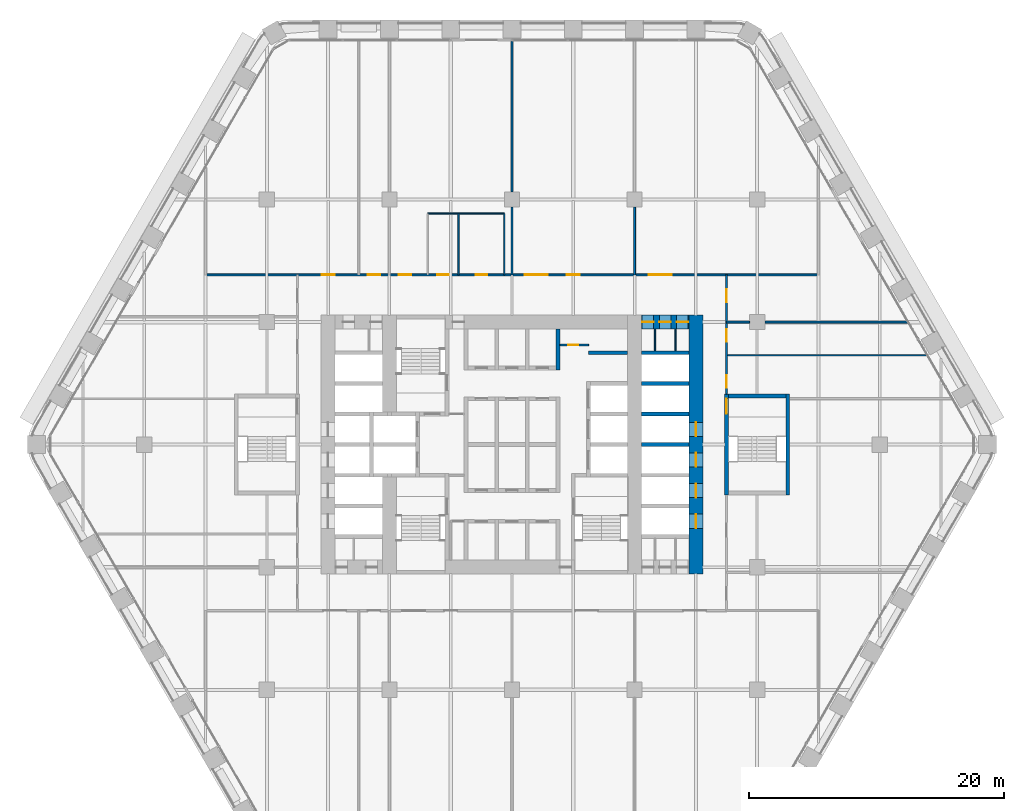
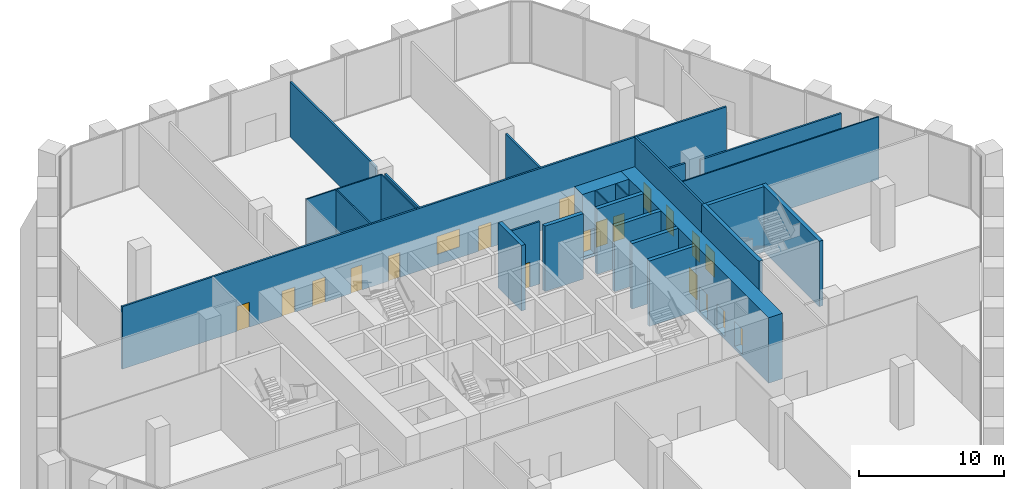
# One storey, part 21 of 27: 25 walls, 19 doors, 1 window, 20 openings.
"""IFC4 building model written with IfcOpenShell, lengths in metres."""

from ifc_helpers import new_model, si_unit, direction, frame, frame_2d, origin, place, context, subcontext, project, spatial, rectangle, extrude, material, layer, layer_set, type_object, element, fill, save


model = new_model("IFC4")

# Units and contexts
model_context = context("Model", 3, precision=1e-05, world=origin(), true_north=direction((0.0, 1.0)))
body_context = subcontext(model_context, "Body", "Model", "MODEL_VIEW")
ifc_project = project(units=[si_unit("LENGTHUNIT", "METRE"), si_unit("AREAUNIT", "SQUARE_METRE"), si_unit("VOLUMEUNIT", "CUBIC_METRE"), si_unit("PLANEANGLEUNIT", "RADIAN"), si_unit("MASSUNIT", "GRAM", prefix="KILO")], contexts=[model_context])

# Site, building, storey
site_placement = place(None, origin())
site = spatial("IfcSite", under=ifc_project, at=site_placement, CompositionType="ELEMENT")
building_placement = place(site_placement, origin())
building = spatial("IfcBuilding", under=site, at=building_placement, Name="Kolab Exchange Tower", CompositionType="ELEMENT")
storey_placement = place(building_placement, frame((0.0, 0.0, 49.89990234375)))
storey = spatial("IfcBuildingStorey", under=building, at=storey_placement, Name="L09", CompositionType="ELEMENT", Elevation=49.89990234375)

# Wall, openings, doors
ifc_material_1 = material(Name="Concrete C80/95", Category="concrete")
ifc_layer_1 = layer(ifc_material_1, 1.10009765625)
ifc_layer_set_1 = layer_set([ifc_layer_1], Name="Concrete C80/95")
wall_type_1 = type_object("IfcWallType", Name="CORE WALL 1100 C80/95", PredefinedType="SHEAR", material=ifc_layer_set_1)
wall_1_placement = place(storey_placement, frame((10.14990234375, 9.60009765625, -0.25), z_axis=(0.0, 0.0, 1.0), x_axis=(1.0, 0.0, 0.0)))
wall_1 = element("IfcWall", 1, at=wall_1_placement, inside=storey, type_object=wall_type_1, Name="wall/L09/core/053", PredefinedType="SHEAR", context=body_context, shape_type="SweptSolid", body=[
    extrude(rectangle(XDim=3.7001953125, YDim=1.10009765625, at=frame_2d((1.85009765625, 0.0))), origin(), (0.0, 0.0, 1.0), 5.5),
])
opening_1_placement = place(wall_1_placement, frame((0.050048828125, 0.0, 0.25)))
opening_1 = element("IfcOpeningElement", 2, at=opening_1_placement, cuts=wall_1, Name="Opening D6-119", PredefinedType="OPENING", context=body_context, shape_type="SweptSolid", body=[
    extrude(rectangle(XDim=0.89990234375, YDim=2.10009765625, at=frame_2d((0.449951171875, 1.050048828125))), frame((0.0, 0.56005859375, 0.0), z_axis=(0.0, -1.0, 0.0), x_axis=(1.0, 0.0, 0.0)), (0.0, 0.0, 1.0), 1.1201171875),
])
opening_2_placement = place(wall_1_placement, frame((1.39990234375, 0.0, 0.25)))
opening_2 = element("IfcOpeningElement", 3, at=opening_2_placement, cuts=wall_1, Name="Opening D6-114", PredefinedType="OPENING", context=body_context, shape_type="SweptSolid", body=[
    extrude(rectangle(XDim=0.89990234375, YDim=2.10009765625, at=frame_2d((0.449951171875, 1.050048828125))), frame((0.0, 0.56005859375, 0.0), z_axis=(0.0, -1.0, 0.0), x_axis=(1.0, 0.0, 0.0)), (0.0, 0.0, 1.0), 1.1201171875),
])
opening_3_placement = place(wall_1_placement, frame((2.75, 0.0, 0.25)))
opening_3 = element("IfcOpeningElement", 4, at=opening_3_placement, cuts=wall_1, Name="Opening D6-120", PredefinedType="OPENING", context=body_context, shape_type="SweptSolid", body=[
    extrude(rectangle(XDim=0.89990234375, YDim=2.10009765625, at=frame_2d((0.449951171875, 1.050048828125))), frame((0.0, 0.56005859375, 0.0), z_axis=(0.0, -1.0, 0.0), x_axis=(1.0, 0.0, 0.0)), (0.0, 0.0, 1.0), 1.1201171875),
])
ifc_material_2 = material(Name="Steel S235", Category="steel")
door_type_1 = type_object("IfcDoorType", Name="CORE DOOR 900 EI 120", OperationType="SINGLE_SWING_LEFT", PredefinedType="DOOR", material=ifc_material_2)
door_1_placement = place(opening_1_placement, frame((0.89990234375, 0.0, 0.0), z_axis=(0.0, 0.0, 1.0), x_axis=(-1.0, 0.0, 0.0)))
door_1 = element("IfcDoor", 5, at=door_1_placement, inside=storey, type_object=door_type_1, Name="Service room door", OperationType="SINGLE_SWING_RIGHT", OverallHeight=2.10009765625, OverallWidth=0.89990234375, PredefinedType="DOOR", context=body_context, shape_type="SweptSolid", body=[
    extrude(rectangle(XDim=0.89990234375, YDim=2.10009765625, at=frame_2d((0.449951171875, 1.050048828125))), frame((0.0, 0.02490234375, 0.0), z_axis=(0.0, -1.0, 0.0), x_axis=(1.0, 0.0, 0.0)), (0.0, 0.0, 1.0), 0.050048828125),
])
fill(opening_1, door_1)
door_2_placement = place(opening_2_placement, frame((0.89990234375, 0.0, 0.0), z_axis=(0.0, 0.0, 1.0), x_axis=(-1.0, 0.0, 0.0)))
door_2 = element("IfcDoor", 6, at=door_2_placement, inside=storey, type_object=door_type_1, Name="Service room door", OperationType="SINGLE_SWING_LEFT", OverallHeight=2.10009765625, OverallWidth=0.89990234375, PredefinedType="DOOR", context=body_context, shape_type="SweptSolid", body=[
    extrude(rectangle(XDim=0.89990234375, YDim=2.10009765625, at=frame_2d((0.449951171875, 1.050048828125))), frame((0.0, 0.02490234375, 0.0), z_axis=(0.0, -1.0, 0.0), x_axis=(1.0, 0.0, 0.0)), (0.0, 0.0, 1.0), 0.050048828125),
])
fill(opening_2, door_2)
door_3_placement = place(opening_3_placement, frame((0.89990234375, 0.0, 0.0), z_axis=(0.0, 0.0, 1.0), x_axis=(-1.0, 0.0, 0.0)))
door_3 = element("IfcDoor", 7, at=door_3_placement, inside=storey, type_object=door_type_1, Name="Service room door", OperationType="SINGLE_SWING_LEFT", OverallHeight=2.10009765625, OverallWidth=0.89990234375, PredefinedType="DOOR", context=body_context, shape_type="SweptSolid", body=[
    extrude(rectangle(XDim=0.89990234375, YDim=2.10009765625, at=frame_2d((0.449951171875, 1.050048828125))), frame((0.0, 0.02490234375, 0.0), z_axis=(0.0, -1.0, 0.0), x_axis=(1.0, 0.0, 0.0)), (0.0, 0.0, 1.0), 0.050048828125),
])
fill(opening_3, door_3)

wall_2_placement = place(storey_placement, frame((14.39990234375, -10.14990234375, -0.25), z_axis=(0.0, 0.0, 1.0), x_axis=(0.0, 1.0, 0.0)))
wall_2 = element("IfcWall", 8, at=wall_2_placement, inside=storey, type_object=wall_type_1, Name="wall/L09/core/081", PredefinedType="SHEAR", context=body_context, shape_type="SweptSolid", body=[
    extrude(rectangle(XDim=20.2998046875, YDim=1.10009765625, at=frame_2d((10.14990234375, 0.0))), origin(), (0.0, 0.0, 1.0), 5.5),
])
opening_4_placement = place(wall_2_placement, frame((3.60009765625, 0.0, 0.25)))
opening_4 = element("IfcOpeningElement", 9, at=opening_4_placement, cuts=wall_2, Name="Opening LD1-037", PredefinedType="OPENING", context=body_context, shape_type="SweptSolid", body=[
    extrude(rectangle(XDim=1.10009765625, YDim=2.10009765625, at=frame_2d((0.550048828125, 1.050048828125))), frame((0.0, 0.56005859375, 0.0), z_axis=(0.0, -1.0, 0.0), x_axis=(1.0, 0.0, 0.0)), (0.0, 0.0, 1.0), 1.1201171875),
])
opening_5_placement = place(wall_2_placement, frame((6.0, 0.0, 0.25)))
opening_5 = element("IfcOpeningElement", 10, at=opening_5_placement, cuts=wall_2, Name="Opening LD1-038", PredefinedType="OPENING", context=body_context, shape_type="SweptSolid", body=[
    extrude(rectangle(XDim=1.10009765625, YDim=2.10009765625, at=frame_2d((0.550048828125, 1.050048828125))), frame((0.0, 0.56005859375, 0.0), z_axis=(0.0, -1.0, 0.0), x_axis=(1.0, 0.0, 0.0)), (0.0, 0.0, 1.0), 1.1201171875),
])
opening_6_placement = place(wall_2_placement, frame((8.39990234375, 0.0, 0.25)))
opening_6 = element("IfcOpeningElement", 11, at=opening_6_placement, cuts=wall_2, Name="Opening LD1-039", PredefinedType="OPENING", context=body_context, shape_type="SweptSolid", body=[
    extrude(rectangle(XDim=1.10009765625, YDim=2.10009765625, at=frame_2d((0.550048828125, 1.050048828125))), frame((0.0, 0.56005859375, 0.0), z_axis=(0.0, -1.0, 0.0), x_axis=(1.0, 0.0, 0.0)), (0.0, 0.0, 1.0), 1.1201171875),
])
opening_7_placement = place(wall_2_placement, frame((10.800048828125, 0.0, 0.25)))
opening_7 = element("IfcOpeningElement", 12, at=opening_7_placement, cuts=wall_2, Name="Opening LD1-040", PredefinedType="OPENING", context=body_context, shape_type="SweptSolid", body=[
    extrude(rectangle(XDim=1.10009765625, YDim=2.10009765625, at=frame_2d((0.550048828125, 1.050048828125))), frame((0.0, 0.56005859375, 0.0), z_axis=(0.0, -1.0, 0.0), x_axis=(1.0, 0.0, 0.0)), (0.0, 0.0, 1.0), 1.1201171875),
])
ifc_material_3 = material(Name="Stainless steel 316", Category="steel")
door_type_2 = type_object("IfcDoorType", Name="LANDING DOOR 1100 PASSENGER", OperationType="DOUBLE_DOOR_SLIDING", PredefinedType="DOOR", material=ifc_material_3)
door_4_placement = place(opening_4_placement, origin())
door_4 = element("IfcDoor", 13, at=door_4_placement, inside=storey, type_object=door_type_2, Name="Landing door LR1", OperationType="DOUBLE_DOOR_SLIDING", OverallHeight=2.10009765625, OverallWidth=1.10009765625, PredefinedType="DOOR", context=body_context, shape_type="SweptSolid", body=[
    extrude(rectangle(XDim=1.10009765625, YDim=2.10009765625, at=frame_2d((0.550048828125, 1.050048828125))), frame((0.0, 0.02490234375, 0.0), z_axis=(0.0, -1.0, 0.0), x_axis=(1.0, 0.0, 0.0)), (0.0, 0.0, 1.0), 0.050048828125),
])
fill(opening_4, door_4)
door_5_placement = place(opening_5_placement, origin())
door_5 = element("IfcDoor", 14, at=door_5_placement, inside=storey, type_object=door_type_2, Name="Landing door LR2", OperationType="DOUBLE_DOOR_SLIDING", OverallHeight=2.10009765625, OverallWidth=1.10009765625, PredefinedType="DOOR", context=body_context, shape_type="SweptSolid", body=[
    extrude(rectangle(XDim=1.10009765625, YDim=2.10009765625, at=frame_2d((0.550048828125, 1.050048828125))), frame((0.0, 0.02490234375, 0.0), z_axis=(0.0, -1.0, 0.0), x_axis=(1.0, 0.0, 0.0)), (0.0, 0.0, 1.0), 0.050048828125),
])
fill(opening_5, door_5)
door_6_placement = place(opening_6_placement, origin())
door_6 = element("IfcDoor", 15, at=door_6_placement, inside=storey, type_object=door_type_2, Name="Landing door LR3", OperationType="DOUBLE_DOOR_SLIDING", OverallHeight=2.10009765625, OverallWidth=1.10009765625, PredefinedType="DOOR", context=body_context, shape_type="SweptSolid", body=[
    extrude(rectangle(XDim=1.10009765625, YDim=2.10009765625, at=frame_2d((0.550048828125, 1.050048828125))), frame((0.0, 0.02490234375, 0.0), z_axis=(0.0, -1.0, 0.0), x_axis=(1.0, 0.0, 0.0)), (0.0, 0.0, 1.0), 0.050048828125),
])
fill(opening_6, door_6)
door_7_placement = place(opening_7_placement, origin())
door_7 = element("IfcDoor", 16, at=door_7_placement, inside=storey, type_object=door_type_2, Name="Landing door LR4", OperationType="DOUBLE_DOOR_SLIDING", OverallHeight=2.10009765625, OverallWidth=1.10009765625, PredefinedType="DOOR", context=body_context, shape_type="SweptSolid", body=[
    extrude(rectangle(XDim=1.10009765625, YDim=2.10009765625, at=frame_2d((0.550048828125, 1.050048828125))), frame((0.0, 0.02490234375, 0.0), z_axis=(0.0, -1.0, 0.0), x_axis=(1.0, 0.0, 0.0)), (0.0, 0.0, 1.0), 0.050048828125),
])
fill(opening_7, door_7)

# Walls
ifc_material_4 = material(Name="Concrete C50/60", Category="concrete")
ifc_layer_2 = layer(ifc_material_4, 0.300048828125)
ifc_layer_set_2 = layer_set([ifc_layer_2], Name="Concrete C50/60")
wall_type_2 = type_object("IfcWallType", Name="LIFT SHAFT WALL 300 C50/60", PredefinedType="STANDARD", material=ifc_layer_set_2)
for number, where, z_axis, x_axis, name in (
    (17, (10.14990234375, 0.0, -0.25), (0.0, 0.0, 1.0), (1.0, 0.0, 0.0), "wall/L09/core/030"),
    (18, (10.14990234375, 2.39990234375, -0.25), (0.0, 0.0, 1.0), (1.0, 0.0, 0.0), "wall/L09/core/036"),
    (19, (10.14990234375, 4.800048828125, -0.25), (0.0, 0.0, 1.0), (1.0, 0.0, 0.0), "wall/L09/core/044"),
):
    element("IfcWall", number, at=place(storey_placement, frame(where, z_axis=z_axis, x_axis=x_axis)), inside=storey, type_object=wall_type_2, Name=name, PredefinedType="STANDARD", context=body_context, shape_type="SweptSolid", body=[
        extrude(rectangle(XDim=3.7001953125, YDim=0.300048828125, at=frame_2d((1.85009765625, 0.0))), origin(), (0.0, 0.0, 1.0), 5.5),
    ])
wall_3_placement = place(storey_placement, frame((6.0, 7.199951171875, -0.25), z_axis=(0.0, 0.0, 1.0), x_axis=(1.0, 0.0, 0.0)))
element("IfcWall", 20, at=wall_3_placement, inside=storey, type_object=wall_type_2, Name="wall/L09/core/049", PredefinedType="STANDARD", context=body_context, shape_type="SweptSolid", body=[
    extrude(rectangle(XDim=3.050048828125, YDim=0.300048828125, at=frame_2d((1.52490234375, 0.0))), origin(), (0.0, 0.0, 1.0), 5.5),
])
wall_4_placement = place(storey_placement, frame((10.14990234375, 7.199951171875, -0.25), z_axis=(0.0, 0.0, 1.0), x_axis=(1.0, 0.0, 0.0)))
element("IfcWall", 21, at=wall_4_placement, inside=storey, type_object=wall_type_2, Name="wall/L09/core/050", PredefinedType="STANDARD", context=body_context, shape_type="SweptSolid", body=[
    extrude(rectangle(XDim=3.7001953125, YDim=0.300048828125, at=frame_2d((1.85009765625, 0.0))), origin(), (0.0, 0.0, 1.0), 5.5),
])
wall_5_placement = place(storey_placement, frame((3.60009765625, 5.85009765625, -0.25), z_axis=(0.0, 0.0, 1.0), x_axis=(0.0, 1.0, 0.0)))
element("IfcWall", 22, at=wall_5_placement, inside=storey, type_object=wall_type_2, Name="wall/L09/core/077", PredefinedType="STANDARD", context=body_context, shape_type="SweptSolid", body=[
    extrude(rectangle(XDim=3.199951171875, YDim=0.300048828125, at=frame_2d((1.60009765625, 0.0))), origin(), (0.0, 0.0, 1.0), 5.5),
])
ifc_material_5 = material(Name="Gypsum board", Category="gypsum")
ifc_layer_3 = layer(ifc_material_5, 0.10009765625)
ifc_layer_set_3 = layer_set([ifc_layer_3], Name="Gypsum board")
wall_type_3 = type_object("IfcWallType", Name="PARTITION 100", PredefinedType="PARTITIONING", material=ifc_layer_set_3)
for number, where, z_axis, x_axis, name in (
    (23, (12.800048828125, 7.35009765625, 0.0), (0.0, 0.0, 1.0), (0.0, 1.0, 0.0), "Partition 005"),
    (24, (11.199951171875, 7.35009765625, 0.0), (0.0, 0.0, 1.0), (0.0, 1.0, 0.0), "Partition 007"),
):
    element("IfcWall", number, at=place(storey_placement, frame(where, z_axis=z_axis, x_axis=x_axis)), inside=storey, type_object=wall_type_3, Name=name, PredefinedType="PARTITIONING", context=body_context, shape_type="SweptSolid", body=[
        extrude(rectangle(XDim=1.699951171875, YDim=0.10009765625, at=frame_2d((0.85009765625, 0.0))), origin(), (0.0, 0.0, 1.0), 5.25),
    ])
for number, where, z_axis, x_axis, name in (
    (25, (-0.60009765625, 13.300048828125, 0.0), (0.0, 0.0, 1.0), (0.0, 1.0, 0.0), "Partition 016"),
    (26, (-4.199951171875, 13.300048828125, 0.0), (0.0, 0.0, 1.0), (0.0, 1.0, 0.0), "Partition 017"),
):
    element("IfcWall", number, at=place(storey_placement, frame(where, z_axis=z_axis, x_axis=x_axis)), inside=storey, type_object=wall_type_3, Name=name, PredefinedType="PARTITIONING", context=body_context, shape_type="SweptSolid", body=[
        extrude(rectangle(XDim=4.800048828125, YDim=0.10009765625, at=frame_2d((2.39990234375, 0.0))), origin(), (0.0, 0.0, 1.0), 5.25),
    ])
wall_6_placement = place(storey_placement, frame((16.800048828125, 7.0, 0.0), z_axis=(0.0, 0.0, 1.0), x_axis=(1.0, 0.0, 0.0)))
element("IfcWall", 27, at=wall_6_placement, inside=storey, type_object=wall_type_3, Name="Partition 042", PredefinedType="PARTITIONING", context=body_context, shape_type="SweptSolid", body=[
    extrude(rectangle(XDim=15.687744140625, YDim=0.10009765625, at=frame_2d((7.84375, 0.0))), origin(), (0.0, 0.0, 1.0), 5.25),
])
wall_7_placement = place(storey_placement, frame((-6.60009765625, 18.10009765625, 0.0), z_axis=(0.0, 0.0, 1.0), x_axis=(1.0, 0.0, 0.0)))
element("IfcWall", 28, at=wall_7_placement, inside=storey, type_object=wall_type_3, Name="Partition 049", PredefinedType="PARTITIONING", context=body_context, shape_type="SweptSolid", body=[
    extrude(rectangle(XDim=6.0, YDim=0.10009765625, at=frame_2d((3.0, 0.0))), origin(), (0.0, 0.0, 1.0), 5.25),
])

# Wall, openings, doors
ifc_layer_4 = layer(ifc_material_5, 0.14990234375)
ifc_layer_set_4 = layer_set([ifc_layer_4], Name="Gypsum board")
wall_type_4 = type_object("IfcWallType", Name="PARTITION 150 FIRE-RATED", PredefinedType="PARTITIONING", material=ifc_layer_set_4)
wall_8_placement = place(storey_placement, frame((16.800048828125, 3.949951171875, 0.0), z_axis=(0.0, 0.0, 1.0), x_axis=(0.0, 1.0, 0.0)))
wall_8 = element("IfcWall", 29, at=wall_8_placement, inside=storey, type_object=wall_type_4, Name="Partition 003", PredefinedType="PARTITIONING", context=body_context, shape_type="SweptSolid", body=[
    extrude(rectangle(XDim=9.35009765625, YDim=0.14990234375, at=frame_2d((4.675048828125, 0.0))), origin(), (0.0, 0.0, 1.0), 5.25),
])
opening_8_placement = place(wall_8_placement, frame((0.4951171875, 0.0, 0.0)))
opening_8 = element("IfcOpeningElement", 30, at=opening_8_placement, cuts=wall_8, Name="Opening D1-126", PredefinedType="OPENING", context=body_context, shape_type="SweptSolid", body=[
    extrude(rectangle(XDim=1.0, YDim=2.10009765625, at=frame_2d((0.5, 1.050048828125))), frame((0.0, 0.0849609375, 0.0), z_axis=(0.0, -1.0, 0.0), x_axis=(1.0, 0.0, 0.0)), (0.0, 0.0, 1.0), 0.169921875),
])
opening_9_placement = place(wall_8_placement, frame((4.094970703125, 0.0, 0.0)))
opening_9 = element("IfcOpeningElement", 31, at=opening_9_placement, cuts=wall_8, Name="Opening D1-127", PredefinedType="OPENING", context=body_context, shape_type="SweptSolid", body=[
    extrude(rectangle(XDim=1.0, YDim=2.10009765625, at=frame_2d((0.5, 1.050048828125))), frame((0.0, 0.0849609375, 0.0), z_axis=(0.0, -1.0, 0.0), x_axis=(1.0, 0.0, 0.0)), (0.0, 0.0, 1.0), 0.169921875),
])
opening_10_placement = place(wall_8_placement, frame((7.199951171875, 0.0, 0.0)))
opening_10 = element("IfcOpeningElement", 32, at=opening_10_placement, cuts=wall_8, Name="Opening D1-119", PredefinedType="OPENING", context=body_context, shape_type="SweptSolid", body=[
    extrude(rectangle(XDim=1.0, YDim=2.10009765625, at=frame_2d((0.5, 1.050048828125))), frame((0.0, 0.0849609375, 0.0), z_axis=(0.0, -1.0, 0.0), x_axis=(1.0, 0.0, 0.0)), (0.0, 0.0, 1.0), 0.169921875),
])
door_type_3 = type_object("IfcDoorType", Name="FLUSH DOOR 1000 FD60", OperationType="SINGLE_SWING_LEFT", PredefinedType="DOOR", material=ifc_material_2)
door_8_placement = place(opening_8_placement, frame((1.0, 0.0, 0.0), z_axis=(0.0, 0.0, 1.0), x_axis=(-1.0, 0.0, 0.0)))
door_8 = element("IfcDoor", 33, at=door_8_placement, inside=storey, type_object=door_type_3, Name="Door L09-063", OperationType="SINGLE_SWING_LEFT", OverallHeight=2.10009765625, OverallWidth=1.0, PredefinedType="DOOR", context=body_context, shape_type="SweptSolid", body=[
    extrude(rectangle(XDim=1.0, YDim=2.10009765625, at=frame_2d((0.5, 1.050048828125))), frame((0.0, 0.02490234375, 0.0), z_axis=(0.0, -1.0, 0.0), x_axis=(1.0, 0.0, 0.0)), (0.0, 0.0, 1.0), 0.050048828125),
])
fill(opening_8, door_8)
door_9_placement = place(opening_9_placement, frame((1.0, 0.0, 0.0), z_axis=(0.0, 0.0, 1.0), x_axis=(-1.0, 0.0, 0.0)))
door_9 = element("IfcDoor", 34, at=door_9_placement, inside=storey, type_object=door_type_3, Name="Door L09-064", OperationType="SINGLE_SWING_RIGHT", OverallHeight=2.10009765625, OverallWidth=1.0, PredefinedType="DOOR", context=body_context, shape_type="SweptSolid", body=[
    extrude(rectangle(XDim=1.0, YDim=2.10009765625, at=frame_2d((0.5, 1.050048828125))), frame((0.0, 0.02490234375, 0.0), z_axis=(0.0, -1.0, 0.0), x_axis=(1.0, 0.0, 0.0)), (0.0, 0.0, 1.0), 0.050048828125),
])
fill(opening_9, door_9)
door_10_placement = place(opening_10_placement, frame((1.0, 0.0, 0.0), z_axis=(0.0, 0.0, 1.0), x_axis=(-1.0, 0.0, 0.0)))
door_10 = element("IfcDoor", 35, at=door_10_placement, inside=storey, type_object=door_type_3, Name="Door L09-065", OperationType="SINGLE_SWING_RIGHT", OverallHeight=2.10009765625, OverallWidth=1.0, PredefinedType="DOOR", context=body_context, shape_type="SweptSolid", body=[
    extrude(rectangle(XDim=1.0, YDim=2.10009765625, at=frame_2d((0.5, 1.050048828125))), frame((0.0, 0.02490234375, 0.0), z_axis=(0.0, -1.0, 0.0), x_axis=(1.0, 0.0, 0.0)), (0.0, 0.0, 1.0), 0.050048828125),
])
fill(opening_10, door_10)

# Walls
for number, where, z_axis, x_axis, name in (
    (36, (9.60009765625, 13.300048828125, 0.0), (0.0, 0.0, 1.0), (0.0, 1.0, 0.0), "Partition 010"),
    (37, (0.0, 13.300048828125, 0.0), (0.0, 0.0, 1.0), (0.0, 1.0, 0.0), "Partition 014"),
):
    element("IfcWall", number, at=place(storey_placement, frame(where, z_axis=z_axis, x_axis=x_axis)), inside=storey, type_object=wall_type_4, Name=name, PredefinedType="PARTITIONING", context=body_context, shape_type="SweptSolid", body=[
        extrude(rectangle(XDim=5.300048828125, YDim=0.14990234375, at=frame_2d((2.64990234375, 0.0))), origin(), (0.0, 0.0, 1.0), 4.793212890625),
    ])
wall_9_placement = place(storey_placement, frame((0.0, 19.800048828125, 0.0), z_axis=(0.0, 0.0, 1.0), x_axis=(0.0, 1.0, 0.0)))
element("IfcWall", 38, at=wall_9_placement, inside=storey, type_object=wall_type_4, Name="Partition 015", PredefinedType="PARTITIONING", context=body_context, shape_type="SweptSolid", body=[
    extrude(rectangle(XDim=11.79541015625, YDim=0.14990234375, at=frame_2d((5.897705078125, 0.0))), origin(), (0.0, 0.0, 1.0), 4.64208984375),
])

# Wall, opening, door
wall_10_placement = place(storey_placement, frame((3.75, 7.800048828125, 0.0), z_axis=(0.0, 0.0, 1.0), x_axis=(1.0, 0.0, 0.0)))
wall_10 = element("IfcWall", 39, at=wall_10_placement, inside=storey, type_object=wall_type_4, Name="Partition 043", PredefinedType="PARTITIONING", context=body_context, shape_type="SweptSolid", body=[
    extrude(rectangle(XDim=2.25, YDim=0.14990234375, at=frame_2d((1.125, 0.0))), origin(), (0.0, 0.0, 1.0), 5.25),
])
opening_11_placement = place(wall_10_placement, frame((0.64990234375, 0.0, 0.0)))
opening_11 = element("IfcOpeningElement", 40, at=opening_11_placement, cuts=wall_10, Name="Opening D7-009", PredefinedType="OPENING", context=body_context, shape_type="SweptSolid", body=[
    extrude(rectangle(XDim=0.800048828125, YDim=2.10009765625, at=frame_2d((0.39990234375, 1.050048828125))), frame((0.0, 0.0849609375, 0.0), z_axis=(0.0, -1.0, 0.0), x_axis=(1.0, 0.0, 0.0)), (0.0, 0.0, 1.0), 0.169921875),
])
door_type_4 = type_object("IfcDoorType", Name="FLUSH DOOR 800 FD60", OperationType="SINGLE_SWING_LEFT", PredefinedType="DOOR", material=ifc_material_2)
door_11_placement = place(opening_11_placement, origin())
door_11 = element("IfcDoor", 41, at=door_11_placement, inside=storey, type_object=door_type_4, Name="Door L09-043", OperationType="SINGLE_SWING_LEFT", OverallHeight=2.10009765625, OverallWidth=0.800048828125, PredefinedType="DOOR", context=body_context, shape_type="SweptSolid", body=[
    extrude(rectangle(XDim=0.800048828125, YDim=2.10009765625, at=frame_2d((0.39990234375, 1.050048828125))), frame((0.0, 0.02490234375, 0.0), z_axis=(0.0, -1.0, 0.0), x_axis=(1.0, 0.0, 0.0)), (0.0, 0.0, 1.0), 0.050048828125),
])
fill(opening_11, door_11)

# Walls
wall_11_placement = place(storey_placement, frame((16.800048828125, 9.60009765625, 0.0), z_axis=(0.0, 0.0, 1.0), x_axis=(1.0, 0.0, 0.0)))
element("IfcWall", 42, at=wall_11_placement, inside=storey, type_object=wall_type_4, Name="Partition 044", PredefinedType="PARTITIONING", context=body_context, shape_type="SweptSolid", body=[
    extrude(rectangle(XDim=1.800048828125, YDim=0.14990234375, at=frame_2d((0.89990234375, 0.0))), origin(), (0.0, 0.0, 1.0), 4.64208984375),
])
wall_12_placement = place(storey_placement, frame((19.800048828125, 9.60009765625, 0.0), z_axis=(0.0, 0.0, 1.0), x_axis=(1.0, 0.0, 0.0)))
element("IfcWall", 43, at=wall_12_placement, inside=storey, type_object=wall_type_4, Name="Partition 045", PredefinedType="PARTITIONING", context=body_context, shape_type="SweptSolid", body=[
    extrude(rectangle(XDim=11.186767578125, YDim=0.14990234375, at=frame_2d((5.59326171875, 0.0))), origin(), (0.0, 0.0, 1.0), 4.488037109375),
])

# Wall, openings, doors, window
wall_13_placement = place(storey_placement, frame((-24.0, 13.300048828125, 0.0), z_axis=(0.0, 0.0, 1.0), x_axis=(1.0, 0.0, 0.0)))
wall_13 = element("IfcWall", 44, at=wall_13_placement, inside=storey, type_object=wall_type_4, Name="Partition 048", PredefinedType="PARTITIONING", context=body_context, shape_type="SweptSolid", body=[
    extrude(rectangle(XDim=48.0, YDim=0.14990234375, at=frame_2d((24.0, 0.0))), origin(), (0.0, 0.0, 1.0), 5.25),
])
opening_12_placement = place(wall_13_placement, frame((9.10009765625, 0.0, 0.0)))
opening_12 = element("IfcOpeningElement", 45, at=opening_12_placement, cuts=wall_13, Name="Opening D1-109", PredefinedType="OPENING", context=body_context, shape_type="SweptSolid", body=[
    extrude(rectangle(XDim=1.0, YDim=2.10009765625, at=frame_2d((0.5, 1.050048828125))), frame((0.0, 0.0849609375, 0.0), z_axis=(0.0, -1.0, 0.0), x_axis=(1.0, 0.0, 0.0)), (0.0, 0.0, 1.0), 0.169921875),
])
opening_13_placement = place(wall_13_placement, frame((12.699951171875, 0.0, 0.0)))
opening_13 = element("IfcOpeningElement", 46, at=opening_13_placement, cuts=wall_13, Name="Opening D1-110", PredefinedType="OPENING", context=body_context, shape_type="SweptSolid", body=[
    extrude(rectangle(XDim=1.0, YDim=2.10009765625, at=frame_2d((0.5, 1.050048828125))), frame((0.0, 0.0849609375, 0.0), z_axis=(0.0, -1.0, 0.0), x_axis=(1.0, 0.0, 0.0)), (0.0, 0.0, 1.0), 0.169921875),
])
opening_14_placement = place(wall_13_placement, frame((15.125, 0.0, 0.0)))
opening_14 = element("IfcOpeningElement", 47, at=opening_14_placement, cuts=wall_13, Name="Opening D1-124", PredefinedType="OPENING", context=body_context, shape_type="SweptSolid", body=[
    extrude(rectangle(XDim=1.0, YDim=2.10009765625, at=frame_2d((0.5, 1.050048828125))), frame((0.0, 0.0849609375, 0.0), z_axis=(0.0, -1.0, 0.0), x_axis=(1.0, 0.0, 0.0)), (0.0, 0.0, 1.0), 0.169921875),
])
opening_15_placement = place(wall_13_placement, frame((28.300048828125, 0.0, 0.0)))
opening_15 = element("IfcOpeningElement", 48, at=opening_15_placement, cuts=wall_13, Name="Opening D1-112", PredefinedType="OPENING", context=body_context, shape_type="SweptSolid", body=[
    extrude(rectangle(XDim=1.0, YDim=2.10009765625, at=frame_2d((0.5, 1.050048828125))), frame((0.0, 0.0849609375, 0.0), z_axis=(0.0, -1.0, 0.0), x_axis=(1.0, 0.0, 0.0)), (0.0, 0.0, 1.0), 0.169921875),
])
opening_16_placement = place(wall_13_placement, frame((34.72509765625, 0.0, 0.0)))
opening_16 = element("IfcOpeningElement", 49, at=opening_16_placement, cuts=wall_13, Name="Opening D2-027", PredefinedType="OPENING", context=body_context, shape_type="SweptSolid", body=[
    extrude(rectangle(XDim=1.800048828125, YDim=2.10009765625, at=frame_2d((0.89990234375, 1.050048828125))), frame((0.0, 0.0849609375, 0.0), z_axis=(0.0, -1.0, 0.0), x_axis=(1.0, 0.0, 0.0)), (0.0, 0.0, 1.0), 0.169921875),
])
opening_17_placement = place(wall_13_placement, frame((21.14990234375, 0.0, 0.0)))
opening_17 = element("IfcOpeningElement", 50, at=opening_17_placement, cuts=wall_13, Name="Opening D3-013", PredefinedType="OPENING", context=body_context, shape_type="SweptSolid", body=[
    extrude(rectangle(XDim=0.89990234375, YDim=2.10009765625, at=frame_2d((0.449951171875, 1.050048828125))), frame((0.0, 0.0849609375, 0.0), z_axis=(0.0, -1.0, 0.0), x_axis=(1.0, 0.0, 0.0)), (0.0, 0.0, 1.0), 0.169921875),
])
opening_18_placement = place(wall_13_placement, frame((18.14990234375, 0.0, 0.0)))
opening_18 = element("IfcOpeningElement", 51, at=opening_18_placement, cuts=wall_13, Name="Opening D3-014", PredefinedType="OPENING", context=body_context, shape_type="SweptSolid", body=[
    extrude(rectangle(XDim=0.89990234375, YDim=2.10009765625, at=frame_2d((0.449951171875, 1.050048828125))), frame((0.0, 0.0849609375, 0.0), z_axis=(0.0, -1.0, 0.0), x_axis=(1.0, 0.0, 0.0)), (0.0, 0.0, 1.0), 0.169921875),
])
opening_19_placement = place(wall_13_placement, frame((25.0, 0.0, 0.89990234375)))
opening_19 = element("IfcOpeningElement", 52, at=opening_19_placement, cuts=wall_13, Name="Opening W1-003", PredefinedType="OPENING", context=body_context, shape_type="SweptSolid", body=[
    extrude(rectangle(XDim=1.800048828125, YDim=1.5, at=frame_2d((0.89990234375, 0.75))), frame((0.0, 0.0849609375, 0.0), z_axis=(0.0, -1.0, 0.0), x_axis=(1.0, 0.0, 0.0)), (0.0, 0.0, 1.0), 0.169921875),
])
door_type_5 = type_object("IfcDoorType", Name="DOUBLE DOOR 1800 FD60", OperationType="DOUBLE_DOOR_SINGLE_SWING", PredefinedType="DOOR", material=ifc_material_2)
door_12_placement = place(opening_16_placement, origin())
door_12 = element("IfcDoor", 53, at=door_12_placement, inside=storey, type_object=door_type_5, Name="Door L09-055", OperationType="SINGLE_SWING_LEFT", OverallHeight=2.10009765625, OverallWidth=1.800048828125, PredefinedType="DOOR", context=body_context, shape_type="SweptSolid", body=[
    extrude(rectangle(XDim=1.800048828125, YDim=2.10009765625, at=frame_2d((0.89990234375, 1.050048828125))), frame((0.0, 0.02490234375, 0.0), z_axis=(0.0, -1.0, 0.0), x_axis=(1.0, 0.0, 0.0)), (0.0, 0.0, 1.0), 0.050048828125),
])
fill(opening_16, door_12)
door_13_placement = place(opening_12_placement, origin())
door_13 = element("IfcDoor", 54, at=door_13_placement, inside=storey, type_object=door_type_3, Name="Door L09-051", OperationType="SINGLE_SWING_RIGHT", OverallHeight=2.10009765625, OverallWidth=1.0, PredefinedType="DOOR", context=body_context, shape_type="SweptSolid", body=[
    extrude(rectangle(XDim=1.0, YDim=2.10009765625, at=frame_2d((0.5, 1.050048828125))), frame((0.0, 0.02490234375, 0.0), z_axis=(0.0, -1.0, 0.0), x_axis=(1.0, 0.0, 0.0)), (0.0, 0.0, 1.0), 0.050048828125),
])
fill(opening_12, door_13)
door_14_placement = place(opening_13_placement, origin())
door_14 = element("IfcDoor", 55, at=door_14_placement, inside=storey, type_object=door_type_3, Name="Door L09-052", OperationType="SINGLE_SWING_LEFT", OverallHeight=2.10009765625, OverallWidth=1.0, PredefinedType="DOOR", context=body_context, shape_type="SweptSolid", body=[
    extrude(rectangle(XDim=1.0, YDim=2.10009765625, at=frame_2d((0.5, 1.050048828125))), frame((0.0, 0.02490234375, 0.0), z_axis=(0.0, -1.0, 0.0), x_axis=(1.0, 0.0, 0.0)), (0.0, 0.0, 1.0), 0.050048828125),
])
fill(opening_13, door_14)
door_15_placement = place(opening_14_placement, origin())
door_15 = element("IfcDoor", 56, at=door_15_placement, inside=storey, type_object=door_type_3, Name="Door L09-053", OperationType="SINGLE_SWING_LEFT", OverallHeight=2.10009765625, OverallWidth=1.0, PredefinedType="DOOR", context=body_context, shape_type="SweptSolid", body=[
    extrude(rectangle(XDim=1.0, YDim=2.10009765625, at=frame_2d((0.5, 1.050048828125))), frame((0.0, 0.02490234375, 0.0), z_axis=(0.0, -1.0, 0.0), x_axis=(1.0, 0.0, 0.0)), (0.0, 0.0, 1.0), 0.050048828125),
])
fill(opening_14, door_15)
door_16_placement = place(opening_15_placement, origin())
door_16 = element("IfcDoor", 57, at=door_16_placement, inside=storey, type_object=door_type_3, Name="Door L09-054", OperationType="SINGLE_SWING_RIGHT", OverallHeight=2.10009765625, OverallWidth=1.0, PredefinedType="DOOR", context=body_context, shape_type="SweptSolid", body=[
    extrude(rectangle(XDim=1.0, YDim=2.10009765625, at=frame_2d((0.5, 1.050048828125))), frame((0.0, 0.02490234375, 0.0), z_axis=(0.0, -1.0, 0.0), x_axis=(1.0, 0.0, 0.0)), (0.0, 0.0, 1.0), 0.050048828125),
])
fill(opening_15, door_16)
door_type_6 = type_object("IfcDoorType", Name="FLUSH DOOR 900 FD60", OperationType="SINGLE_SWING_LEFT", PredefinedType="DOOR", material=ifc_material_2)
door_17_placement = place(opening_17_placement, origin())
door_17 = element("IfcDoor", 58, at=door_17_placement, inside=storey, type_object=door_type_6, Name="Door L09-071", OperationType="SINGLE_SWING_LEFT", OverallHeight=2.10009765625, OverallWidth=0.89990234375, PredefinedType="DOOR", context=body_context, shape_type="SweptSolid", body=[
    extrude(rectangle(XDim=0.89990234375, YDim=2.10009765625, at=frame_2d((0.449951171875, 1.050048828125))), frame((0.0, 0.02490234375, 0.0), z_axis=(0.0, -1.0, 0.0), x_axis=(1.0, 0.0, 0.0)), (0.0, 0.0, 1.0), 0.050048828125),
])
fill(opening_17, door_17)
door_18_placement = place(opening_18_placement, origin())
door_18 = element("IfcDoor", 59, at=door_18_placement, inside=storey, type_object=door_type_6, Name="Door L09-072", OperationType="SINGLE_SWING_LEFT", OverallHeight=2.10009765625, OverallWidth=0.89990234375, PredefinedType="DOOR", context=body_context, shape_type="SweptSolid", body=[
    extrude(rectangle(XDim=0.89990234375, YDim=2.10009765625, at=frame_2d((0.449951171875, 1.050048828125))), frame((0.0, 0.02490234375, 0.0), z_axis=(0.0, -1.0, 0.0), x_axis=(1.0, 0.0, 0.0)), (0.0, 0.0, 1.0), 0.050048828125),
])
fill(opening_18, door_18)
ifc_material_6 = material(Name="Fire-rated glazing", Category="glass")
window_type = type_object("IfcWindowType", Name="OBSERVATION WINDOW 1800 X 1500 EI 60", PartitioningType="SINGLE_PANEL", PredefinedType="WINDOW", material=ifc_material_6)
window_placement = place(opening_19_placement, origin())
window = element("IfcWindow", 60, at=window_placement, inside=storey, type_object=window_type, Name="Viewing window L09-2", OverallHeight=1.5, OverallWidth=1.800048828125, PartitioningType="SINGLE_PANEL", PredefinedType="WINDOW", context=body_context, shape_type="SweptSolid", body=[
    extrude(rectangle(XDim=1.800048828125, YDim=1.5, at=frame_2d((0.89990234375, 0.75))), frame((0.0, 0.030029296875, 0.0), z_axis=(0.0, -1.0, 0.0), x_axis=(1.0, 0.0, 0.0)), (0.0, 0.0, 1.0), 0.06005859375),
])
fill(opening_19, window)

# Wall
ifc_layer_5 = layer(ifc_material_4, 0.300048828125)
ifc_layer_set_5 = layer_set([ifc_layer_5], Name="Concrete C50/60")
wall_type_5 = type_object("IfcWallType", Name="STAIR ENCLOSURE WALL 300 C50/60", PredefinedType="STANDARD", material=ifc_layer_set_5)
wall_14_placement = place(storey_placement, frame((16.949951171875, 3.800048828125, -0.25), z_axis=(0.0, 0.0, 1.0), x_axis=(1.0, 0.0, 0.0)))
element("IfcWall", 61, at=wall_14_placement, inside=storey, type_object=wall_type_5, Name="wall/L09/core/041", PredefinedType="STANDARD", context=body_context, shape_type="SweptSolid", body=[
    extrude(rectangle(XDim=4.5, YDim=0.300048828125, at=frame_2d((2.25, 0.0))), origin(), (0.0, 0.0, 1.0), 5.5),
])

# Wall, opening, door
wall_15_placement = place(storey_placement, frame((16.800048828125, -3.949951171875, -0.25), z_axis=(0.0, 0.0, 1.0), x_axis=(0.0, 1.0, 0.0)))
wall_15 = element("IfcWall", 62, at=wall_15_placement, inside=storey, type_object=wall_type_5, Name="wall/L09/core/082", PredefinedType="STANDARD", context=body_context, shape_type="SweptSolid", body=[
    extrude(rectangle(XDim=7.89990234375, YDim=0.300048828125, at=frame_2d((3.949951171875, 0.0))), origin(), (0.0, 0.0, 1.0), 5.5),
])
opening_20_placement = place(wall_15_placement, frame((6.35009765625, 0.0, 0.25)))
opening_20 = element("IfcOpeningElement", 63, at=opening_20_placement, cuts=wall_15, Name="Opening D4-023", PredefinedType="OPENING", context=body_context, shape_type="SweptSolid", body=[
    extrude(rectangle(XDim=1.199951171875, YDim=2.10009765625, at=frame_2d((0.60009765625, 1.050048828125))), frame((0.0, 0.16015625, 0.0), z_axis=(0.0, -1.0, 0.0), x_axis=(1.0, 0.0, 0.0)), (0.0, 0.0, 1.0), 0.320068359375),
])
door_type_7 = type_object("IfcDoorType", Name="STAIR DOOR 1200 EI 120", OperationType="SINGLE_SWING_LEFT", PredefinedType="DOOR", material=ifc_material_2)
door_19_placement = place(opening_20_placement, frame((1.199951171875, 0.0, 0.0), z_axis=(0.0, 0.0, 1.0), x_axis=(-1.0, 0.0, 0.0)))
door_19 = element("IfcDoor", 64, at=door_19_placement, inside=storey, type_object=door_type_7, Name="Stair 4 door", OperationType="SINGLE_SWING_RIGHT", OverallHeight=2.10009765625, OverallWidth=1.199951171875, PredefinedType="DOOR", context=body_context, shape_type="SweptSolid", body=[
    extrude(rectangle(XDim=1.199951171875, YDim=2.10009765625, at=frame_2d((0.60009765625, 1.050048828125))), frame((0.0, 0.02490234375, 0.0), z_axis=(0.0, -1.0, 0.0), x_axis=(1.0, 0.0, 0.0)), (0.0, 0.0, 1.0), 0.050048828125),
])
fill(opening_20, door_19)

# Wall
wall_16_placement = place(storey_placement, frame((21.60009765625, -3.949951171875, -0.25), z_axis=(0.0, 0.0, 1.0), x_axis=(0.0, 1.0, 0.0)))
element("IfcWall", 65, at=wall_16_placement, inside=storey, type_object=wall_type_5, Name="wall/L09/core/083", PredefinedType="STANDARD", context=body_context, shape_type="SweptSolid", body=[
    extrude(rectangle(XDim=7.89990234375, YDim=0.300048828125, at=frame_2d((3.949951171875, 0.0))), origin(), (0.0, 0.0, 1.0), 5.5),
])

save(model, "model.ifc")
